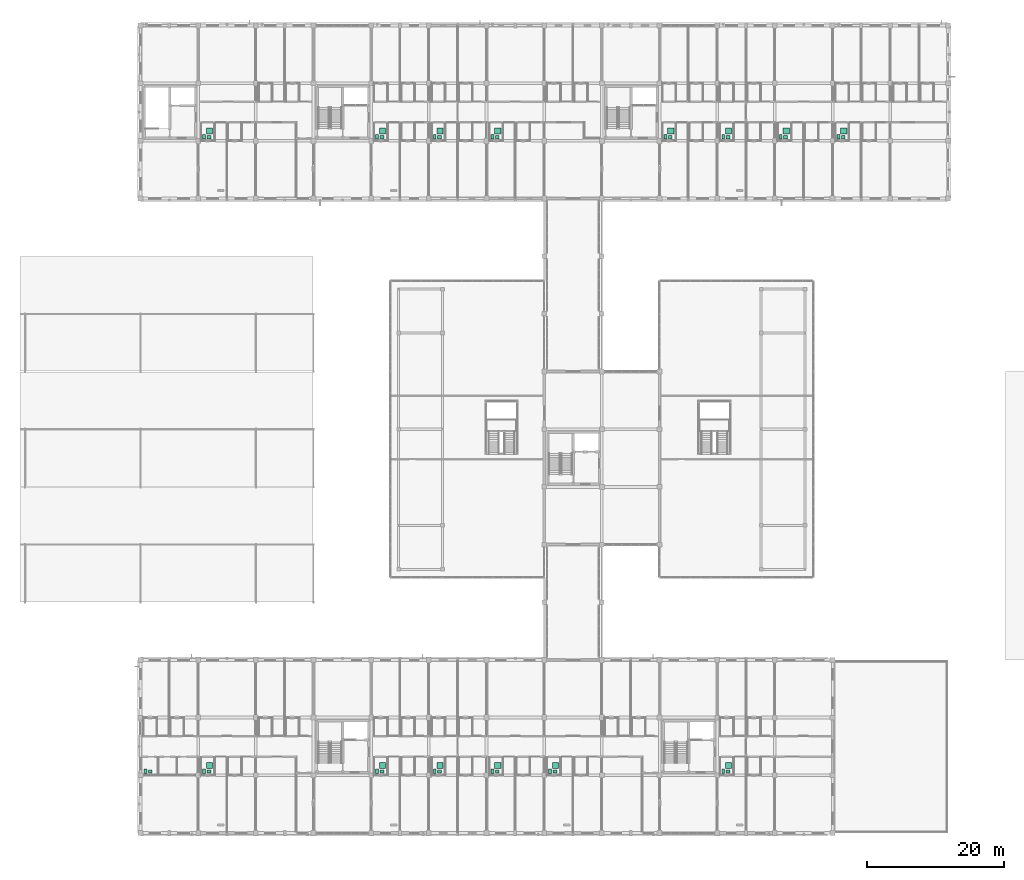
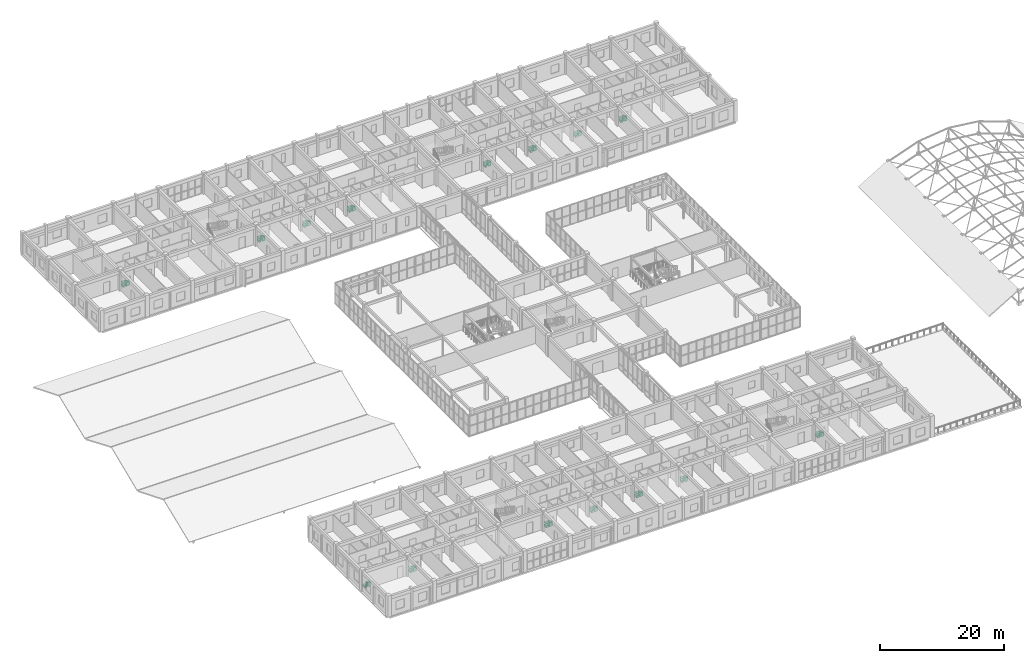
# One storey, part 140 of 140: 44 sanitary terminals.
"""IFC4 building model written with IfcOpenShell, lengths in metres."""

from ifc_helpers import new_model, si_unit, direction, frame, origin, origin_2d, place, context, subcontext, project, spatial, rectangle, extrude, material, type_object, element, save


model = new_model("IFC4")

# Units and contexts
model_context = context("Model", 3, precision=1e-05, world=origin(), true_north=direction((0.0, 1.0)))
body_context = subcontext(model_context, "Body", "Model", "MODEL_VIEW")
ifc_project = project(units=[si_unit("LENGTHUNIT", "METRE"), si_unit("AREAUNIT", "SQUARE_METRE"), si_unit("VOLUMEUNIT", "CUBIC_METRE"), si_unit("PLANEANGLEUNIT", "RADIAN"), si_unit("MASSUNIT", "GRAM", prefix="KILO")], contexts=[model_context])

# Site, building, storey
site_placement = place(None, origin())
site = spatial("IfcSite", under=ifc_project, at=site_placement, CompositionType="ELEMENT")
building_placement = place(site_placement, origin())
building = spatial("IfcBuilding", under=site, at=building_placement, Name="Trelvath General Hospital", CompositionType="ELEMENT")
storey_placement = place(building_placement, frame((0.0, 0.0, 16.199951171875)))
storey = spatial("IfcBuildingStorey", under=building, at=storey_placement, Name="L04", CompositionType="ELEMENT", Elevation=16.199951171875)

# Sanitary terminals
ifc_material_1 = material(Name="Sanitary glazed porcelain")
sanitary_terminal_type_1 = type_object("IfcSanitaryTerminalType", Name="Sanitary Basin", PredefinedType="WASHHANDBASIN", material=ifc_material_1)
for number, where, z_axis, x_axis, name in (
    (1, (18.219970703125, 8.93994140625, 0.0), (0.0, 0.0, 1.0), (1.0, 0.0, 0.0), "Pedestal Washbasin FIT-L04-V6-AWC-2"),
    (2, (26.760009765625, 8.929931640625, 0.0), (0.0, 0.0, 1.0), (1.0, 0.0, 0.0), "Pedestal Washbasin FIT-L04-V6-3-W"),
    (3, (51.9599609375, 8.929931640625, 0.0), (0.0, 0.0, 1.0), (1.0, 0.0, 0.0), "Pedestal Washbasin FIT-L04-V6-6-W"),
    (4, (60.360107421875, 8.929931640625, 0.0), (0.0, 0.0, 1.0), (1.0, 0.0, 0.0), "Pedestal Washbasin FIT-L04-V6-7-W"),
    (5, (68.760009765625, 8.929931640625, 0.0), (0.0, 0.0, 1.0), (1.0, 0.0, 0.0), "Pedestal Washbasin FIT-L04-V6-8-W"),
    (6, (77.159912109375, 8.929931640625, 0.0), (0.0, 0.0, 1.0), (1.0, 0.0, 0.0), "Pedestal Washbasin FIT-L04-V6-9-W"),
    (7, (102.360107421875, 8.929931640625, 0.0), (0.0, 0.0, 1.0), (1.0, 0.0, 0.0), "Pedestal Washbasin FIT-L04-V6-12-W"),
    (8, (26.760009765625, 101.330078125, 0.0), (0.0, 0.0, 1.0), (1.0, 0.0, 0.0), "Pedestal Washbasin FIT-L04-V5-3-W"),
    (9, (51.9599609375, 101.330078125, 0.0), (0.0, 0.0, 1.0), (1.0, 0.0, 0.0), "Pedestal Washbasin FIT-L04-V5-6-W"),
    (10, (60.360107421875, 101.330078125, 0.0), (0.0, 0.0, 1.0), (1.0, 0.0, 0.0), "Pedestal Washbasin FIT-L04-V5-7-W"),
    (11, (68.760009765625, 101.330078125, 0.0), (0.0, 0.0, 1.0), (1.0, 0.0, 0.0), "Pedestal Washbasin FIT-L04-V5-8-W"),
    (12, (93.9599609375, 101.330078125, 0.0), (0.0, 0.0, 1.0), (1.0, 0.0, 0.0), "Pedestal Washbasin FIT-L04-V5-11-W"),
    (13, (102.360107421875, 101.330078125, 0.0), (0.0, 0.0, 1.0), (1.0, 0.0, 0.0), "Pedestal Washbasin FIT-L04-V5-12-W"),
    (14, (110.760009765625, 101.330078125, 0.0), (0.0, 0.0, 1.0), (1.0, 0.0, 0.0), "Pedestal Washbasin FIT-L04-V5-13-W"),
    (15, (119.159912109375, 101.330078125, 0.0), (0.0, 0.0, 1.0), (1.0, 0.0, 0.0), "Pedestal Washbasin FIT-L04-V5-14-W"),
):
    element("IfcSanitaryTerminal", number, at=place(storey_placement, frame(where, z_axis=z_axis, x_axis=x_axis)), inside=storey, type_object=sanitary_terminal_type_1, Name=name, PredefinedType="WASHHANDBASIN", context=body_context, shape_type="SweptSolid", body=[
        extrude(rectangle(XDim=0.550048828125, YDim=0.449951171875, at=origin_2d()), origin(), (0.0, 0.0, 1.0), 0.85009765625),
    ])
ifc_material_2 = material(Name="Sanitary glazed porcelain")
sanitary_terminal_type_2 = type_object("IfcSanitaryTerminalType", Name="Sanitary Shower", PredefinedType="SHOWER", material=ifc_material_2)
for number, where, z_axis, x_axis, name in (
    (16, (26.840087890625, 9.840087890625, 0.0), (0.0, 0.0, 1.0), (1.0, 0.0, 0.0), "Roll-in Shower FIT-L04-V6-3-W"),
    (17, (52.0400390625, 9.840087890625, 0.0), (0.0, 0.0, 1.0), (1.0, 0.0, 0.0), "Roll-in Shower FIT-L04-V6-6-W"),
    (18, (60.43994140625, 9.840087890625, 0.0), (0.0, 0.0, 1.0), (1.0, 0.0, 0.0), "Roll-in Shower FIT-L04-V6-7-W"),
    (19, (68.840087890625, 9.840087890625, 0.0), (0.0, 0.0, 1.0), (1.0, 0.0, 0.0), "Roll-in Shower FIT-L04-V6-8-W"),
    (20, (77.239990234375, 9.840087890625, 0.0), (0.0, 0.0, 1.0), (1.0, 0.0, 0.0), "Roll-in Shower FIT-L04-V6-9-W"),
    (21, (102.43994140625, 9.840087890625, 0.0), (0.0, 0.0, 1.0), (1.0, 0.0, 0.0), "Roll-in Shower FIT-L04-V6-12-W"),
    (22, (26.840087890625, 102.239990234375, 0.0), (0.0, 0.0, 1.0), (1.0, 0.0, 0.0), "Roll-in Shower FIT-L04-V5-3-W"),
    (23, (52.0400390625, 102.239990234375, 0.0), (0.0, 0.0, 1.0), (1.0, 0.0, 0.0), "Roll-in Shower FIT-L04-V5-6-W"),
    (24, (60.43994140625, 102.239990234375, 0.0), (0.0, 0.0, 1.0), (1.0, 0.0, 0.0), "Roll-in Shower FIT-L04-V5-7-W"),
    (25, (68.840087890625, 102.239990234375, 0.0), (0.0, 0.0, 1.0), (1.0, 0.0, 0.0), "Roll-in Shower FIT-L04-V5-8-W"),
    (26, (94.0400390625, 102.239990234375, 0.0), (0.0, 0.0, 1.0), (1.0, 0.0, 0.0), "Roll-in Shower FIT-L04-V5-11-W"),
    (27, (102.43994140625, 102.239990234375, 0.0), (0.0, 0.0, 1.0), (1.0, 0.0, 0.0), "Roll-in Shower FIT-L04-V5-12-W"),
    (28, (110.840087890625, 102.239990234375, 0.0), (0.0, 0.0, 1.0), (1.0, 0.0, 0.0), "Roll-in Shower FIT-L04-V5-13-W"),
    (29, (119.239990234375, 102.239990234375, 0.0), (0.0, 0.0, 1.0), (1.0, 0.0, 0.0), "Roll-in Shower FIT-L04-V5-14-W"),
):
    element("IfcSanitaryTerminal", number, at=place(storey_placement, frame(where, z_axis=z_axis, x_axis=x_axis)), inside=storey, type_object=sanitary_terminal_type_2, Name=name, PredefinedType="SHOWER", context=body_context, shape_type="SweptSolid", body=[
        extrude(rectangle(XDim=0.89990234375, YDim=0.89990234375, at=origin_2d()), origin(), (0.0, 0.0, 1.0), 0.080078125),
    ])
ifc_material_3 = material(Name="Sanitary glazed porcelain")
sanitary_terminal_type_3 = type_object("IfcSanitaryTerminalType", Name="Sanitary WC", PredefinedType="TOILETPAN", material=ifc_material_3)
for number, where, z_axis, x_axis, name in (
    (30, (17.52001953125, 8.97998046875, 0.0), (0.0, 0.0, 1.0), (1.0, 0.0, 0.0), "WC Pan FIT-L04-V6-AWC-2"),
    (31, (26.06005859375, 8.969970703125, 0.0), (0.0, 0.0, 1.0), (1.0, 0.0, 0.0), "WC Pan FIT-L04-V6-3-W"),
    (32, (51.260009765625, 8.969970703125, 0.0), (0.0, 0.0, 1.0), (1.0, 0.0, 0.0), "WC Pan FIT-L04-V6-6-W"),
    (33, (59.659912109375, 8.969970703125, 0.0), (0.0, 0.0, 1.0), (1.0, 0.0, 0.0), "WC Pan FIT-L04-V6-7-W"),
    (34, (68.06005859375, 8.969970703125, 0.0), (0.0, 0.0, 1.0), (1.0, 0.0, 0.0), "WC Pan FIT-L04-V6-8-W"),
    (35, (76.4599609375, 8.969970703125, 0.0), (0.0, 0.0, 1.0), (1.0, 0.0, 0.0), "WC Pan FIT-L04-V6-9-W"),
    (36, (101.659912109375, 8.969970703125, 0.0), (0.0, 0.0, 1.0), (1.0, 0.0, 0.0), "WC Pan FIT-L04-V6-12-W"),
    (37, (26.06005859375, 101.3701171875, 0.0), (0.0, 0.0, 1.0), (1.0, 0.0, 0.0), "WC Pan FIT-L04-V5-3-W"),
    (38, (51.260009765625, 101.3701171875, 0.0), (0.0, 0.0, 1.0), (1.0, 0.0, 0.0), "WC Pan FIT-L04-V5-6-W"),
    (39, (59.659912109375, 101.3701171875, 0.0), (0.0, 0.0, 1.0), (1.0, 0.0, 0.0), "WC Pan FIT-L04-V5-7-W"),
    (40, (68.06005859375, 101.3701171875, 0.0), (0.0, 0.0, 1.0), (1.0, 0.0, 0.0), "WC Pan FIT-L04-V5-8-W"),
    (41, (93.260009765625, 101.3701171875, 0.0), (0.0, 0.0, 1.0), (1.0, 0.0, 0.0), "WC Pan FIT-L04-V5-11-W"),
    (42, (101.659912109375, 101.3701171875, 0.0), (0.0, 0.0, 1.0), (1.0, 0.0, 0.0), "WC Pan FIT-L04-V5-12-W"),
    (43, (110.06005859375, 101.3701171875, 0.0), (0.0, 0.0, 1.0), (1.0, 0.0, 0.0), "WC Pan FIT-L04-V5-13-W"),
    (44, (118.4599609375, 101.3701171875, 0.0), (0.0, 0.0, 1.0), (1.0, 0.0, 0.0), "WC Pan FIT-L04-V5-14-W"),
):
    element("IfcSanitaryTerminal", number, at=place(storey_placement, frame(where, z_axis=z_axis, x_axis=x_axis)), inside=storey, type_object=sanitary_terminal_type_3, Name=name, PredefinedType="TOILETPAN", context=body_context, shape_type="SweptSolid", body=[
        extrude(rectangle(XDim=0.39990234375, YDim=0.64990234375, at=origin_2d()), origin(), (0.0, 0.0, 1.0), 0.449951171875),
    ])

save(model, "model.ifc")
